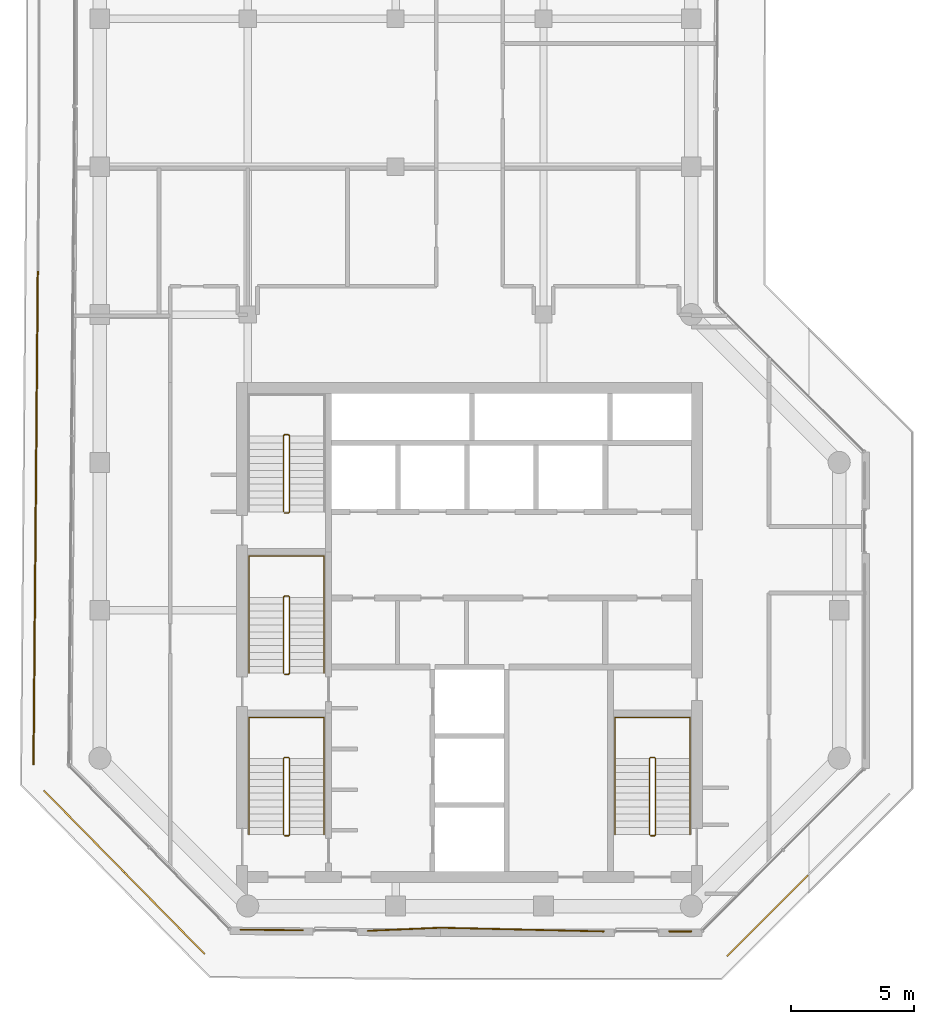
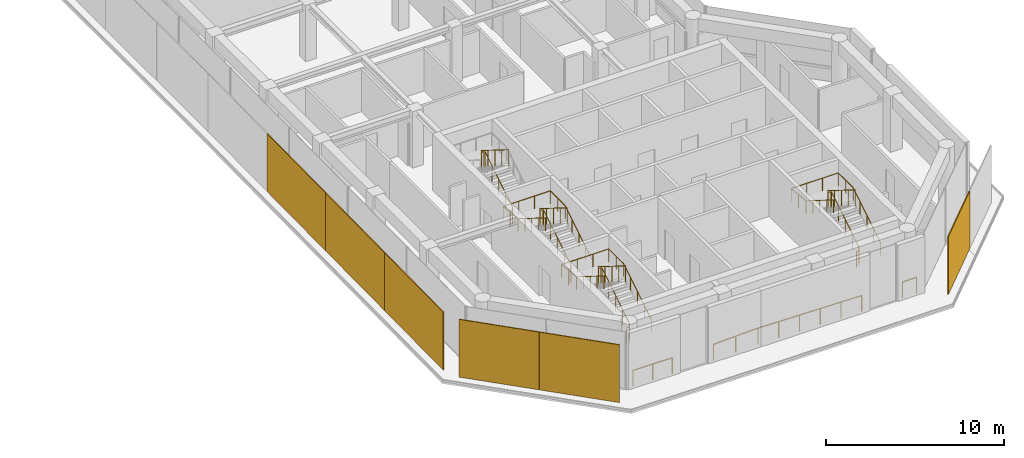
# One storey, part 18 of 19: 10 railings, 6 coverings.
"""IFC4 building model written with IfcOpenShell, lengths in metres."""

import ifcopenshell
import ifcopenshell.guid

model = None  # the IFC model being written
_history = None  # IfcOwnerHistory: only IFC2X3 demands one
_inside = {}  # id of a spatial element -> (the spatial element, [elements in it])
_under = {}  # id of a project, library or spatial element -> (it, [spatial elements below it])
_declared = {}  # id of a project -> (the project, [libraries it declares])
_typed = {}  # id of a type object -> (the type object, [elements of that type])
_made_of = {}  # id of a material, layer set ... -> (it, [elements and type objects made of it])


def new_model(schema):
    """Start an empty IFC model of exactly this schema.

    Asked for "IFC4X3", IfcOpenShell would pick the latest addendum, in which some entities
    have other attributes; the version numbers below select the first issue.
    IFC2X3 requires an IfcOwnerHistory on every rooted entity: one is made here for all.
    """
    global model, _history
    if schema == "IFC4X3":
        model = ifcopenshell.file(schema_version=(4, 3, 0, 0))
    else:
        model = ifcopenshell.file(schema=schema)
    _inside.clear()
    _under.clear()
    _declared.clear()
    _typed.clear()
    _made_of.clear()
    _history = None
    if model.schema == "IFC2X3":
        org = make("IfcOrganization", Name="unknown")
        user = make(
            "IfcPersonAndOrganization",
            ThePerson=make("IfcPerson", FamilyName="unknown"),
            TheOrganization=org,
        )
        app = make(
            "IfcApplication",
            ApplicationDeveloper=org,
            Version="unknown",
            ApplicationFullName="unknown",
            ApplicationIdentifier="unknown",
        )
        _history = make(
            "IfcOwnerHistory",
            OwningUser=user,
            OwningApplication=app,
            ChangeAction="ADDED",
            CreationDate=0,
        )
    return model


def make(cls, **values):
    """One entity of the class cls with the attributes given. An attribute that is None is left unset."""
    return model.create_entity(
        cls, **{name: value for name, value in values.items() if value is not None}
    )


def rooted(cls, **values):
    """An entity with a GlobalId (a new one), such as an element, a storey or a relation."""
    return make(cls, GlobalId=ifcopenshell.guid.new(), OwnerHistory=_history, **values)


def si_unit(unit_type, name, prefix=None):
    """IfcSIUnit, for example si_unit("LENGTHUNIT", "METRE", prefix="MILLI")."""
    return make("IfcSIUnit", UnitType=unit_type, Prefix=prefix, Name=name)


def assignment(units):
    """IfcUnitAssignment: the units of a project."""
    return None if units is None else make("IfcUnitAssignment", Units=units)


def point(xyz):
    """IfcCartesianPoint."""
    return None if xyz is None else make("IfcCartesianPoint", Coordinates=xyz)


def direction(xyz):
    """IfcDirection."""
    return None if xyz is None else make("IfcDirection", DirectionRatios=xyz)


def frame(location, z_axis=None, x_axis=None):
    """IfcAxis2Placement3D, a coordinate frame: its origin and axes. An axis left out is left unset."""
    return make(
        "IfcAxis2Placement3D",
        Location=point(location),
        Axis=direction(z_axis),
        RefDirection=direction(x_axis),
    )


def frame_2d(location, x_axis=None):
    """IfcAxis2Placement2D, a coordinate frame in the plane: its origin and x axis."""
    return make(
        "IfcAxis2Placement2D", Location=point(location), RefDirection=direction(x_axis)
    )


def origin():
    """The frame at (0, 0, 0) with its axes left unset."""
    return frame((0.0, 0.0, 0.0))


def origin_2d():
    """The frame at (0, 0) in the plane with its x axis left unset."""
    return frame_2d((0.0, 0.0))


def place(relative_to, where):
    """IfcLocalPlacement: puts the frame where relative to a parent placement (None: the world)."""
    return make(
        "IfcLocalPlacement", PlacementRelTo=relative_to, RelativePlacement=where
    )


def context(
    kind, dimensions, precision=None, world=None, true_north=None, identifier=None
):
    """IfcGeometricRepresentationContext, for example the 3D "Model" context."""
    return make(
        "IfcGeometricRepresentationContext",
        ContextIdentifier=identifier,
        ContextType=kind,
        CoordinateSpaceDimension=dimensions,
        Precision=precision,
        WorldCoordinateSystem=world,
        TrueNorth=true_north,
    )


def subcontext(parent, identifier, kind, view, scale=None):
    """IfcGeometricRepresentationSubContext, for example "Body" below "Model"."""
    return make(
        "IfcGeometricRepresentationSubContext",
        ContextIdentifier=identifier,
        ContextType=kind,
        ParentContext=parent,
        TargetScale=scale,
        TargetView=view,
    )


def project(units=None, contexts=None):
    """IfcProject with its units and contexts."""
    return rooted(
        "IfcProject",
        Name="project",
        RepresentationContexts=contexts,
        UnitsInContext=assignment(units),
    )


def spatial(cls, under=None, at=None, **own):
    """A site, building, storey or space (cls), placed at a placement, below another one or the project."""
    s = rooted(cls, ObjectPlacement=at, **own)
    if under is not None:
        _under.setdefault(under.id(), (under, []))[1].append(s)
    return s


def profile(cls, at=None, kind="AREA", **sizes):
    """A parametric profile (cls). Its sizes go by their IFC names, for example OverallWidth=200.0."""
    return make(cls, ProfileType=kind, Position=at, **sizes)


def rectangle(**sizes):
    """IfcRectangleProfileDef."""
    return profile("IfcRectangleProfileDef", **sizes)


def circle(**sizes):
    """IfcCircleProfileDef."""
    return profile("IfcCircleProfileDef", **sizes)


def extrude(swept, where, along, depth):
    """IfcExtrudedAreaSolid: the profile swept, set in the frame where, extruded along a direction by depth."""
    return make(
        "IfcExtrudedAreaSolid",
        SweptArea=swept,
        Position=where,
        ExtrudedDirection=direction(along),
        Depth=depth,
    )


def shape(context_of_items, identifier, shape_type, items):
    """IfcShapeRepresentation: the items that make up one representation, for example the "Body"."""
    return make(
        "IfcShapeRepresentation",
        ContextOfItems=context_of_items,
        RepresentationIdentifier=identifier,
        RepresentationType=shape_type,
        Items=items,
    )


def material(Name=None, Category=None):
    """IfcMaterial."""
    return make("IfcMaterial", Name=Name, Category=Category)


def layer(
    of_material, thickness, ventilated=None, Name=None, Category=None, Priority=None
):
    """IfcMaterialLayer: one layer of a wall or slab, of a material (None: an air gap)."""
    return make(
        "IfcMaterialLayer",
        Material=of_material,
        LayerThickness=thickness,
        IsVentilated=ventilated,
        Name=Name,
        Category=Category,
        Priority=Priority,
    )


def layer_set(layers, Name=None):
    """IfcMaterialLayerSet."""
    return make("IfcMaterialLayerSet", MaterialLayers=layers, LayerSetName=Name)


def made_of(thing, what):
    """Note that an element or type object is made of a material, layer set ...; save() writes the relation."""
    if what is not None:
        _made_of.setdefault(what.id(), (what, []))[1].append(thing)
    return thing


def type_object(cls, material=None, **own):
    """A type object (cls), such as IfcWallType, which elements share."""
    return made_of(rooted(cls, **own), material)


def element(
    cls,
    number,
    at=None,
    inside=None,
    cuts=None,
    type_object=None,
    material=None,
    context=None,
    identifier="Body",
    shape_type=None,
    held_by="IfcProductDefinitionShape",
    body=None,
    shapes=None,
    **own,
):
    """One element of the class cls, such as IfcWall. Its Tag is "e" and its number.

    at: its placement. inside: the storey or other place that contains it. cuts: it is an
    opening in that element (IfcRelVoidsElement). A single representation is given by context,
    identifier, shape_type and body (its items); several are given by shapes. held_by: the class
    of the entity that holds the representations. save() writes the other relations.
    """
    e = rooted(cls, Tag="e%d" % number, ObjectPlacement=at, **own)
    if body is not None:
        shapes = [shape(context, identifier, shape_type, body)]
    if shapes is not None:
        e.Representation = make(held_by, Representations=shapes)
    if inside is not None:
        _inside.setdefault(inside.id(), (inside, []))[1].append(e)
    if cuts is not None:
        rooted(
            "IfcRelVoidsElement", RelatingBuildingElement=cuts, RelatedOpeningElement=e
        )
    if type_object is not None:
        _typed.setdefault(type_object.id(), (type_object, []))[1].append(e)
    return made_of(e, material)


def aggregate(whole, parts):
    """IfcRelAggregates: a whole, such as a stair, and the parts it consists of."""
    return rooted("IfcRelAggregates", RelatingObject=whole, RelatedObjects=parts)


def save(model, path):
    """Write the relations noted so far, then the file.

    IfcRelAggregates (storeys below a building ...), IfcRelContainedInSpatialStructure (elements
    in a storey), IfcRelDefinesByType, IfcRelAssociatesMaterial and IfcRelDeclares: one each for
    every whole, place, type object, material and project.
    """
    for whole, parts in _under.values():
        aggregate(whole, parts)
    for where, things in _inside.values():
        rooted(
            "IfcRelContainedInSpatialStructure",
            RelatedElements=things,
            RelatingStructure=where,
        )
    for kind, things in _typed.values():
        rooted("IfcRelDefinesByType", RelatedObjects=things, RelatingType=kind)
    for what, things in _made_of.values():
        rooted("IfcRelAssociatesMaterial", RelatedObjects=things, RelatingMaterial=what)
    for by, libraries in _declared.values():
        rooted("IfcRelDeclares", RelatingContext=by, RelatedDefinitions=libraries)
    model.write(path)


model = new_model("IFC4")

# Units and contexts
model_context = context("Model", 3, precision=1e-05, world=origin(), true_north=direction((0.0, 1.0)))
body_context = subcontext(model_context, "Body", "Model", "MODEL_VIEW")
ifc_project = project(units=[si_unit("LENGTHUNIT", "METRE"), si_unit("AREAUNIT", "SQUARE_METRE"), si_unit("VOLUMEUNIT", "CUBIC_METRE"), si_unit("PLANEANGLEUNIT", "RADIAN"), si_unit("MASSUNIT", "GRAM", prefix="KILO")], contexts=[model_context])

# Site, building, storey
site_placement = place(None, origin())
site = spatial("IfcSite", under=ifc_project, at=site_placement, CompositionType="ELEMENT")
building_placement = place(site_placement, origin())
building = spatial("IfcBuilding", under=site, at=building_placement, Name="Welwitschia Terrace Campus", CompositionType="ELEMENT")
storey_placement = place(building_placement, frame((0.0, 0.0, 230.60009765625)))
storey = spatial("IfcBuildingStorey", under=building, at=storey_placement, Name="L51", CompositionType="ELEMENT", Elevation=230.60009765625)

# Coverings
ifc_material_1 = material(Name="Bronze mesh aluminium screen", Category="aluminium")
ifc_layer = layer(ifc_material_1, 0.06005859375)
ifc_layer_set = layer_set([ifc_layer], Name="Bronze mesh aluminium screen")
covering_type = type_object("IfcCoveringType", Name="Bronze screen 60", PredefinedType="USERDEFINED", material=ifc_layer_set)
for number, where, z_axis, x_axis, name in (
    (1, (-2.547607421875, 26.435302734375, 0.0), (0.0, 0.0, 1.0), (-0.008726535498, -0.999961923064, 0.0), "Screen L51.2.1"),
    (2, (-2.605712890625, 19.748291015625, 0.0), (0.0, 0.0, 1.0), (-0.008726535498, -0.999961923064, 0.0), "Screen L51.2.2"),
    (3, (-2.664306640625, 13.061279296875, 0.0), (0.0, 0.0, 1.0), (-0.008726535498, -0.999961923064, 0.0), "Screen L51.2.3"),
):
    element("IfcCovering", number, at=place(storey_placement, frame(where, z_axis=z_axis, x_axis=x_axis)), inside=storey, type_object=covering_type, Name=name, ObjectType="SCREEN", PredefinedType="USERDEFINED", context=body_context, shape_type="SweptSolid", body=[
        extrude(rectangle(XDim=6.667236328125, YDim=0.06005859375, at=origin_2d()), origin(), (0.0, 0.0, 1.0), 3.949951171875),
    ])
for number, where, z_axis, x_axis, name in (
    (4, (-0.64697265625, 7.037841796875, 0.0), (0.0, 0.0, 1.0), (0.7009092643, -0.713250449154, 0.0), "Screen L51.3.0"),
    (5, (2.625732421875, 3.70751953125, 0.0), (0.0, 0.0, 1.0), (0.7009092643, -0.713250449154, 0.0), "Screen L51.3.1"),
    (6, (27.088623046875, 3.609619140625, 0.0), (0.0, 0.0, 1.0), (0.707106781187, 0.707106781187, 0.0), "Screen L51.6.0"),
):
    element("IfcCovering", number, at=place(storey_placement, frame(where, z_axis=z_axis, x_axis=x_axis)), inside=storey, type_object=covering_type, Name=name, ObjectType="SCREEN", PredefinedType="USERDEFINED", context=body_context, shape_type="SweptSolid", body=[
        extrude(rectangle(XDim=4.6494140625, YDim=0.06005859375, at=origin_2d()), origin(), (0.0, 0.0, 1.0), 3.949951171875),
    ])

# Railings
ifc_material_2 = material(Name="Stainless steel grade 316", Category="steel")
railing_type_1 = type_object("IfcRailingType", Name="Guard 1100", PredefinedType="GUARDRAIL", material=ifc_material_2)
railing_1_placement = place(storey_placement, frame((8.23095703125, 3.018798828125, 0.0)))
element("IfcRailing", 7, at=railing_1_placement, inside=storey, type_object=railing_type_1, Name="Guard floor edge L51.1", PredefinedType="GUARDRAIL", context=body_context, shape_type="SweptSolid", body=[
    extrude(circle(Radius=0.02392578125, at=origin_2d()), frame((0.0, 0.0, 1.076171875), z_axis=(-0.9999612979, 0.008797880509, 0.0), x_axis=(-0.008797880509, -0.9999612979, 0.0)), (0.0, 0.0, 1.0), 2.525146484375),
    extrude(circle(Radius=0.02099609375, at=origin_2d()), origin(), (0.0, 0.0, 1.0), 1.052001953125),
    extrude(circle(Radius=0.02099609375, at=origin_2d()), frame((-1.2626953125, 0.01123046875, 0.0)), (0.0, 0.0, 1.0), 1.052001953125),
    extrude(circle(Radius=0.02099609375, at=origin_2d()), frame((-2.525146484375, 0.022216796875, 0.0)), (0.0, 0.0, 1.0), 1.052001953125),
])
railing_2_placement = place(storey_placement, frame((20.453125, 2.969970703125, 0.0)))
element("IfcRailing", 8, at=railing_2_placement, inside=storey, type_object=railing_type_1, Name="Guard floor edge L51.3", PredefinedType="GUARDRAIL", context=body_context, shape_type="SweptSolid", body=[
    extrude(circle(Radius=0.02392578125, at=origin_2d()), frame((0.0, 0.0, 1.076171875), z_axis=(-0.999743297963, 0.022656967544, 0.0), x_axis=(-0.022656967544, -0.999743297963, 0.0)), (0.0, 0.0, 1.0), 6.626953125),
    extrude(circle(Radius=0.02392578125, at=origin_2d()), frame((-6.625244140625, 0.150146484375, 1.076171875), z_axis=(-0.999110134046, -0.042177482689, 0.0), x_axis=(0.042177482689, -0.999110134046, 0.0)), (0.0, 0.0, 1.0), 2.9521484375),
    extrude(circle(Radius=0.02099609375, at=origin_2d()), origin(), (0.0, 0.0, 1.0), 1.052001953125),
    extrude(circle(Radius=0.02099609375, at=origin_2d()), frame((-1.324951171875, 0.030029296875, 0.0)), (0.0, 0.0, 1.0), 1.052001953125),
    extrude(circle(Radius=0.02099609375, at=origin_2d()), frame((-2.650146484375, 0.06005859375, 0.0)), (0.0, 0.0, 1.0), 1.052001953125),
    extrude(circle(Radius=0.02099609375, at=origin_2d()), frame((-3.97509765625, 0.090087890625, 0.0)), (0.0, 0.0, 1.0), 1.052001953125),
    extrude(circle(Radius=0.02099609375, at=origin_2d()), frame((-5.30029296875, 0.1201171875, 0.0)), (0.0, 0.0, 1.0), 1.052001953125),
    extrude(circle(Radius=0.02099609375, at=origin_2d()), frame((-6.625244140625, 0.150146484375, 0.0)), (0.0, 0.0, 1.0), 1.052001953125),
    extrude(circle(Radius=0.02099609375, at=origin_2d()), frame((-8.10009765625, 0.087890625, 0.0)), (0.0, 0.0, 1.0), 1.052001953125),
    extrude(circle(Radius=0.02099609375, at=origin_2d()), frame((-9.57470703125, 0.025634765625, 0.0)), (0.0, 0.0, 1.0), 1.052001953125),
])
railing_3_placement = place(storey_placement, frame((24.0029296875, 2.969970703125, 0.0)))
element("IfcRailing", 9, at=railing_3_placement, inside=storey, type_object=railing_type_1, Name="Guard floor edge L51.5", PredefinedType="GUARDRAIL", context=body_context, shape_type="SweptSolid", body=[
    extrude(circle(Radius=0.02392578125, at=origin_2d()), frame((0.0, 0.0, 1.076171875), z_axis=(-1.0, 0.0, 0.0), x_axis=(0.0, -1.0, 0.0)), (0.0, 0.0, 1.0), 0.90234375),
    extrude(circle(Radius=0.02099609375, at=origin_2d()), origin(), (0.0, 0.0, 1.0), 1.052001953125),
    extrude(circle(Radius=0.02099609375, at=origin_2d()), frame((-0.90234375, 0.0, 0.0)), (0.0, 0.0, 1.0), 1.052001953125),
])
ifc_material_3 = material(Name="Steel S355", Category="steel")
railing_type_2 = type_object("IfcRailingType", Name="Stair guard 1100", PredefinedType="GUARDRAIL", material=ifc_material_3)
railing_4_placement = place(storey_placement, frame((7.5, 6.85009765625, 0.0)))
element("IfcRailing", 10, at=railing_4_placement, inside=storey, type_object=railing_type_2, Name="L51 S1 stair guard", PredefinedType="GUARDRAIL", context=body_context, shape_type="SweptSolid", body=[
    extrude(circle(Radius=0.02392578125, at=origin_2d()), frame((0.0, 0.0, 1.076171875), z_axis=(1.0, 0.0, 0.0), x_axis=(0.0, 1.0, 0.0)), (0.0, 0.0, 1.0), 0.14990234375),
    extrude(circle(Radius=0.02392578125, at=origin_2d()), frame((0.14990234375, 0.0, 1.076171875), z_axis=(0.265474339444, 0.264179342666, 0.927217692888), x_axis=(-0.705375805398, 0.708833529934, 0.0)), (0.0, 0.0, 1.0), 0.1884765625),
    extrude(circle(Radius=0.02392578125, at=origin_2d()), frame((0.199951171875, 0.0498046875, 1.2509765625), z_axis=(0.0, 0.847998304005, 0.529998940003), x_axis=(-1.0, 0.0, 0.0)), (0.0, 0.0, 1.0), 3.632080078125),
    extrude(circle(Radius=0.02392578125, at=origin_2d()), frame((0.199951171875, 3.1298828125, 3.17578125), z_axis=(-0.707106781187, 0.707106781187, 0.0), x_axis=(-0.707106781187, -0.707106781187, 0.0)), (0.0, 0.0, 1.0), 0.07080078125),
    extrude(circle(Radius=0.02392578125, at=origin_2d()), frame((0.14990234375, 3.179931640625, 3.17578125), z_axis=(-1.0, 0.0, 0.0), x_axis=(0.0, -1.0, 0.0)), (0.0, 0.0, 1.0), 0.14990234375),
    extrude(circle(Radius=0.02392578125, at=origin_2d()), frame((0.0, 3.179931640625, 3.17578125), z_axis=(-0.265065253269, -0.265065253269, 0.927081885822), x_axis=(0.707106781187, -0.707106781187, 0.0)), (0.0, 0.0, 1.0), 0.188720703125),
    extrude(circle(Radius=0.02392578125, at=origin_2d()), frame((-0.050048828125, 3.1298828125, 3.35107421875), z_axis=(0.0, -0.847998304005, 0.529998940003), x_axis=(1.0, 0.0, 0.0)), (0.0, 0.0, 1.0), 3.632080078125),
    extrude(circle(Radius=0.02099609375, at=origin_2d()), origin(), (0.0, 0.0, 1.0), 1.052001953125),
    extrude(circle(Radius=0.02099609375, at=origin_2d()), frame((0.14990234375, 0.0, 0.0)), (0.0, 0.0, 1.0), 1.052001953125),
    extrude(circle(Radius=0.02099609375, at=origin_2d()), frame((0.199951171875, 0.0498046875, 0.1748046875)), (0.0, 0.0, 1.0), 1.052001953125),
    extrude(circle(Radius=0.02099609375, at=origin_2d()), frame((0.199951171875, 0.81982421875, 0.656005859375)), (0.0, 0.0, 1.0), 1.052001953125),
    extrude(circle(Radius=0.02099609375, at=origin_2d()), frame((0.199951171875, 1.58984375, 1.13720703125)), (0.0, 0.0, 1.0), 1.052001953125),
    extrude(circle(Radius=0.02099609375, at=origin_2d()), frame((0.199951171875, 2.35986328125, 1.61865234375)), (0.0, 0.0, 1.0), 1.052001953125),
    extrude(circle(Radius=0.02099609375, at=origin_2d()), frame((0.199951171875, 3.1298828125, 2.099853515625)), (0.0, 0.0, 1.0), 1.052001953125),
    extrude(circle(Radius=0.02099609375, at=origin_2d()), frame((0.14990234375, 3.179931640625, 2.099853515625)), (0.0, 0.0, 1.0), 1.052001953125),
    extrude(circle(Radius=0.02099609375, at=origin_2d()), frame((0.0, 3.179931640625, 2.099853515625)), (0.0, 0.0, 1.0), 1.052001953125),
    extrude(circle(Radius=0.02099609375, at=origin_2d()), frame((-0.050048828125, 3.1298828125, 2.27490234375)), (0.0, 0.0, 1.0), 1.052001953125),
    extrude(circle(Radius=0.02099609375, at=origin_2d()), frame((-0.050048828125, 2.35986328125, 2.756103515625)), (0.0, 0.0, 1.0), 1.052001953125),
    extrude(circle(Radius=0.02099609375, at=origin_2d()), frame((-0.050048828125, 1.58984375, 3.2373046875)), (0.0, 0.0, 1.0), 1.052001953125),
    extrude(circle(Radius=0.02099609375, at=origin_2d()), frame((-0.050048828125, 0.81982421875, 3.71875)), (0.0, 0.0, 1.0), 1.052001953125),
    extrude(circle(Radius=0.02099609375, at=origin_2d()), frame((-0.050048828125, 0.0498046875, 4.199951171875)), (0.0, 0.0, 1.0), 1.052001953125),
])
railing_5_placement = place(storey_placement, frame((7.5, 13.39990234375, 0.0)))
element("IfcRailing", 11, at=railing_5_placement, inside=storey, type_object=railing_type_2, Name="L51 S3 stair guard", PredefinedType="GUARDRAIL", context=body_context, shape_type="SweptSolid", body=[
    extrude(circle(Radius=0.02392578125, at=origin_2d()), frame((0.0, 0.0, 1.076171875), z_axis=(1.0, 0.0, 0.0), x_axis=(0.0, 1.0, 0.0)), (0.0, 0.0, 1.0), 0.14990234375),
    extrude(circle(Radius=0.02392578125, at=origin_2d()), frame((0.14990234375, 0.0, 1.076171875), z_axis=(0.265383341853, 0.265383341853, 0.926899867156), x_axis=(-0.707106781187, 0.707106781187, 0.0)), (0.0, 0.0, 1.0), 0.1884765625),
    extrude(circle(Radius=0.02392578125, at=origin_2d()), frame((0.199951171875, 0.050048828125, 1.2509765625), z_axis=(0.0, 0.847998304005, 0.529998940003), x_axis=(-1.0, 0.0, 0.0)), (0.0, 0.0, 1.0), 3.632080078125),
    extrude(circle(Radius=0.02392578125, at=origin_2d()), frame((0.199951171875, 3.130126953125, 3.17578125), z_axis=(-0.707106781187, 0.707106781187, 0.0), x_axis=(-0.707106781187, -0.707106781187, 0.0)), (0.0, 0.0, 1.0), 0.07080078125),
    extrude(circle(Radius=0.02392578125, at=origin_2d()), frame((0.14990234375, 3.18017578125, 3.17578125), z_axis=(-1.0, 0.0, 0.0), x_axis=(0.0, -1.0, 0.0)), (0.0, 0.0, 1.0), 0.14990234375),
    extrude(circle(Radius=0.02392578125, at=origin_2d()), frame((0.0, 3.18017578125, 3.17578125), z_axis=(-0.265065253269, -0.265065253269, 0.927081885822), x_axis=(0.707106781187, -0.707106781187, 0.0)), (0.0, 0.0, 1.0), 0.188720703125),
    extrude(circle(Radius=0.02392578125, at=origin_2d()), frame((-0.050048828125, 3.130126953125, 3.35107421875), z_axis=(0.0, -0.847998304005, 0.529998940003), x_axis=(1.0, 0.0, 0.0)), (0.0, 0.0, 1.0), 3.632080078125),
    extrude(circle(Radius=0.02099609375, at=origin_2d()), origin(), (0.0, 0.0, 1.0), 1.052001953125),
    extrude(circle(Radius=0.02099609375, at=origin_2d()), frame((0.14990234375, 0.0, 0.0)), (0.0, 0.0, 1.0), 1.052001953125),
    extrude(circle(Radius=0.02099609375, at=origin_2d()), frame((0.199951171875, 0.050048828125, 0.1748046875)), (0.0, 0.0, 1.0), 1.052001953125),
    extrude(circle(Radius=0.02099609375, at=origin_2d()), frame((0.199951171875, 0.820068359375, 0.656005859375)), (0.0, 0.0, 1.0), 1.052001953125),
    extrude(circle(Radius=0.02099609375, at=origin_2d()), frame((0.199951171875, 1.590087890625, 1.13720703125)), (0.0, 0.0, 1.0), 1.052001953125),
    extrude(circle(Radius=0.02099609375, at=origin_2d()), frame((0.199951171875, 2.360107421875, 1.61865234375)), (0.0, 0.0, 1.0), 1.052001953125),
    extrude(circle(Radius=0.02099609375, at=origin_2d()), frame((0.199951171875, 3.130126953125, 2.099853515625)), (0.0, 0.0, 1.0), 1.052001953125),
    extrude(circle(Radius=0.02099609375, at=origin_2d()), frame((0.14990234375, 3.18017578125, 2.099853515625)), (0.0, 0.0, 1.0), 1.052001953125),
    extrude(circle(Radius=0.02099609375, at=origin_2d()), frame((0.0, 3.18017578125, 2.099853515625)), (0.0, 0.0, 1.0), 1.052001953125),
    extrude(circle(Radius=0.02099609375, at=origin_2d()), frame((-0.050048828125, 3.130126953125, 2.27490234375)), (0.0, 0.0, 1.0), 1.052001953125),
    extrude(circle(Radius=0.02099609375, at=origin_2d()), frame((-0.050048828125, 2.360107421875, 2.756103515625)), (0.0, 0.0, 1.0), 1.052001953125),
    extrude(circle(Radius=0.02099609375, at=origin_2d()), frame((-0.050048828125, 1.590087890625, 3.2373046875)), (0.0, 0.0, 1.0), 1.052001953125),
    extrude(circle(Radius=0.02099609375, at=origin_2d()), frame((-0.050048828125, 0.820068359375, 3.71875)), (0.0, 0.0, 1.0), 1.052001953125),
    extrude(circle(Radius=0.02099609375, at=origin_2d()), frame((-0.050048828125, 0.050048828125, 4.199951171875)), (0.0, 0.0, 1.0), 1.052001953125),
])
railing_6_placement = place(storey_placement, frame((7.5, 19.949951171875, 0.0)))
element("IfcRailing", 12, at=railing_6_placement, inside=storey, type_object=railing_type_2, Name="L51 S4 stair guard", PredefinedType="GUARDRAIL", context=body_context, shape_type="SweptSolid", body=[
    extrude(circle(Radius=0.02392578125, at=origin_2d()), frame((0.0, 0.0, 1.076171875), z_axis=(1.0, 0.0, 0.0), x_axis=(0.0, 1.0, 0.0)), (0.0, 0.0, 1.0), 0.14990234375),
    extrude(circle(Radius=0.02392578125, at=origin_2d()), frame((0.14990234375, 0.0, 1.076171875), z_axis=(0.265383341853, 0.265383341853, 0.926899867156), x_axis=(-0.707106781187, 0.707106781187, 0.0)), (0.0, 0.0, 1.0), 0.1884765625),
    extrude(circle(Radius=0.02392578125, at=origin_2d()), frame((0.199951171875, 0.050048828125, 1.2509765625), z_axis=(0.0, 0.847998304005, 0.529998940003), x_axis=(-1.0, 0.0, 0.0)), (0.0, 0.0, 1.0), 3.632080078125),
    extrude(circle(Radius=0.02392578125, at=origin_2d()), frame((0.199951171875, 3.130126953125, 3.17578125), z_axis=(-0.708833529934, 0.705375805398, 0.0), x_axis=(-0.705375805398, -0.708833529934, 0.0)), (0.0, 0.0, 1.0), 0.070556640625),
    extrude(circle(Radius=0.02392578125, at=origin_2d()), frame((0.14990234375, 3.179931640625, 3.17578125), z_axis=(-1.0, 0.0, 0.0), x_axis=(0.0, -1.0, 0.0)), (0.0, 0.0, 1.0), 0.14990234375),
    extrude(circle(Radius=0.02392578125, at=origin_2d()), frame((0.0, 3.179931640625, 3.17578125), z_axis=(-0.265155923931, -0.263862480399, 0.927399011991), x_axis=(0.705375805398, -0.708833529934, 0.0)), (0.0, 0.0, 1.0), 0.188720703125),
    extrude(circle(Radius=0.02392578125, at=origin_2d()), frame((-0.050048828125, 3.130126953125, 3.35107421875), z_axis=(0.0, -0.847998304005, 0.529998940003), x_axis=(1.0, 0.0, 0.0)), (0.0, 0.0, 1.0), 3.632080078125),
    extrude(circle(Radius=0.02099609375, at=origin_2d()), origin(), (0.0, 0.0, 1.0), 1.052001953125),
    extrude(circle(Radius=0.02099609375, at=origin_2d()), frame((0.14990234375, 0.0, 0.0)), (0.0, 0.0, 1.0), 1.052001953125),
    extrude(circle(Radius=0.02099609375, at=origin_2d()), frame((0.199951171875, 0.050048828125, 0.1748046875)), (0.0, 0.0, 1.0), 1.052001953125),
    extrude(circle(Radius=0.02099609375, at=origin_2d()), frame((0.199951171875, 0.820068359375, 0.656005859375)), (0.0, 0.0, 1.0), 1.052001953125),
    extrude(circle(Radius=0.02099609375, at=origin_2d()), frame((0.199951171875, 1.590087890625, 1.13720703125)), (0.0, 0.0, 1.0), 1.052001953125),
    extrude(circle(Radius=0.02099609375, at=origin_2d()), frame((0.199951171875, 2.360107421875, 1.61865234375)), (0.0, 0.0, 1.0), 1.052001953125),
    extrude(circle(Radius=0.02099609375, at=origin_2d()), frame((0.199951171875, 3.130126953125, 2.099853515625)), (0.0, 0.0, 1.0), 1.052001953125),
    extrude(circle(Radius=0.02099609375, at=origin_2d()), frame((0.14990234375, 3.179931640625, 2.099853515625)), (0.0, 0.0, 1.0), 1.052001953125),
    extrude(circle(Radius=0.02099609375, at=origin_2d()), frame((0.0, 3.179931640625, 2.099853515625)), (0.0, 0.0, 1.0), 1.052001953125),
    extrude(circle(Radius=0.02099609375, at=origin_2d()), frame((-0.050048828125, 3.130126953125, 2.27490234375)), (0.0, 0.0, 1.0), 1.052001953125),
    extrude(circle(Radius=0.02099609375, at=origin_2d()), frame((-0.050048828125, 2.360107421875, 2.756103515625)), (0.0, 0.0, 1.0), 1.052001953125),
    extrude(circle(Radius=0.02099609375, at=origin_2d()), frame((-0.050048828125, 1.590087890625, 3.2373046875)), (0.0, 0.0, 1.0), 1.052001953125),
    extrude(circle(Radius=0.02099609375, at=origin_2d()), frame((-0.050048828125, 0.820068359375, 3.71875)), (0.0, 0.0, 1.0), 1.052001953125),
    extrude(circle(Radius=0.02099609375, at=origin_2d()), frame((-0.050048828125, 0.050048828125, 4.199951171875)), (0.0, 0.0, 1.0), 1.052001953125),
])
railing_7_placement = place(storey_placement, frame((22.35009765625, 6.85009765625, 0.0)))
element("IfcRailing", 13, at=railing_7_placement, inside=storey, type_object=railing_type_2, Name="L51 S2 stair guard", PredefinedType="GUARDRAIL", context=body_context, shape_type="SweptSolid", body=[
    extrude(circle(Radius=0.02392578125, at=origin_2d()), frame((0.0, 0.0, 1.076171875), z_axis=(1.0, 0.0, 0.0), x_axis=(0.0, 1.0, 0.0)), (0.0, 0.0, 1.0), 0.14990234375),
    extrude(circle(Radius=0.02392578125, at=origin_2d()), frame((0.14990234375, 0.0, 1.076171875), z_axis=(0.265474339444, 0.264179342666, 0.927217692888), x_axis=(-0.705375805398, 0.708833529934, 0.0)), (0.0, 0.0, 1.0), 0.1884765625),
    extrude(circle(Radius=0.02392578125, at=origin_2d()), frame((0.199951171875, 0.0498046875, 1.2509765625), z_axis=(0.0, 0.847998304005, 0.529998940003), x_axis=(-1.0, 0.0, 0.0)), (0.0, 0.0, 1.0), 3.632080078125),
    extrude(circle(Radius=0.02392578125, at=origin_2d()), frame((0.199951171875, 3.1298828125, 3.17578125), z_axis=(-0.707106781187, 0.707106781187, 0.0), x_axis=(-0.707106781187, -0.707106781187, 0.0)), (0.0, 0.0, 1.0), 0.07080078125),
    extrude(circle(Radius=0.02392578125, at=origin_2d()), frame((0.14990234375, 3.179931640625, 3.17578125), z_axis=(-1.0, 0.0, 0.0), x_axis=(0.0, -1.0, 0.0)), (0.0, 0.0, 1.0), 0.14990234375),
    extrude(circle(Radius=0.02392578125, at=origin_2d()), frame((0.0, 3.179931640625, 3.17578125), z_axis=(-0.265065253269, -0.265065253269, 0.927081885822), x_axis=(0.707106781187, -0.707106781187, 0.0)), (0.0, 0.0, 1.0), 0.188720703125),
    extrude(circle(Radius=0.02392578125, at=origin_2d()), frame((-0.050048828125, 3.1298828125, 3.35107421875), z_axis=(0.0, -0.847998304005, 0.529998940003), x_axis=(1.0, 0.0, 0.0)), (0.0, 0.0, 1.0), 3.632080078125),
    extrude(circle(Radius=0.02099609375, at=origin_2d()), origin(), (0.0, 0.0, 1.0), 1.052001953125),
    extrude(circle(Radius=0.02099609375, at=origin_2d()), frame((0.14990234375, 0.0, 0.0)), (0.0, 0.0, 1.0), 1.052001953125),
    extrude(circle(Radius=0.02099609375, at=origin_2d()), frame((0.199951171875, 0.0498046875, 0.1748046875)), (0.0, 0.0, 1.0), 1.052001953125),
    extrude(circle(Radius=0.02099609375, at=origin_2d()), frame((0.199951171875, 0.81982421875, 0.656005859375)), (0.0, 0.0, 1.0), 1.052001953125),
    extrude(circle(Radius=0.02099609375, at=origin_2d()), frame((0.199951171875, 1.58984375, 1.13720703125)), (0.0, 0.0, 1.0), 1.052001953125),
    extrude(circle(Radius=0.02099609375, at=origin_2d()), frame((0.199951171875, 2.35986328125, 1.61865234375)), (0.0, 0.0, 1.0), 1.052001953125),
    extrude(circle(Radius=0.02099609375, at=origin_2d()), frame((0.199951171875, 3.1298828125, 2.099853515625)), (0.0, 0.0, 1.0), 1.052001953125),
    extrude(circle(Radius=0.02099609375, at=origin_2d()), frame((0.14990234375, 3.179931640625, 2.099853515625)), (0.0, 0.0, 1.0), 1.052001953125),
    extrude(circle(Radius=0.02099609375, at=origin_2d()), frame((0.0, 3.179931640625, 2.099853515625)), (0.0, 0.0, 1.0), 1.052001953125),
    extrude(circle(Radius=0.02099609375, at=origin_2d()), frame((-0.050048828125, 3.1298828125, 2.27490234375)), (0.0, 0.0, 1.0), 1.052001953125),
    extrude(circle(Radius=0.02099609375, at=origin_2d()), frame((-0.050048828125, 2.35986328125, 2.756103515625)), (0.0, 0.0, 1.0), 1.052001953125),
    extrude(circle(Radius=0.02099609375, at=origin_2d()), frame((-0.050048828125, 1.58984375, 3.2373046875)), (0.0, 0.0, 1.0), 1.052001953125),
    extrude(circle(Radius=0.02099609375, at=origin_2d()), frame((-0.050048828125, 0.81982421875, 3.71875)), (0.0, 0.0, 1.0), 1.052001953125),
    extrude(circle(Radius=0.02099609375, at=origin_2d()), frame((-0.050048828125, 0.0498046875, 4.199951171875)), (0.0, 0.0, 1.0), 1.052001953125),
])
ifc_material_4 = material(Name="Steel S355", Category="steel")
railing_type_3 = type_object("IfcRailingType", Name="Stair handrail 900", PredefinedType="HANDRAIL", material=ifc_material_4)
railing_8_placement = place(storey_placement, frame((9.10009765625, 6.89990234375, 0.1748046875)))
element("IfcRailing", 14, at=railing_8_placement, inside=storey, type_object=railing_type_3, Name="L51 S1 stair handrail", PredefinedType="HANDRAIL", context=body_context, shape_type="SweptSolid", body=[
    extrude(circle(Radius=0.02392578125, at=origin_2d()), frame((0.0, 0.0, 0.8759765625), z_axis=(0.0, 0.847998304005, 0.529998940003), x_axis=(-1.0, 0.0, 0.0)), (0.0, 0.0, 1.0), 3.632080078125),
    extrude(circle(Radius=0.02392578125, at=origin_2d()), frame((0.0, 3.080078125, 2.80078125), z_axis=(0.0, 1.0, 0.0), x_axis=(-1.0, 0.0, 0.0)), (0.0, 0.0, 1.0), 1.669921875),
    extrude(circle(Radius=0.02392578125, at=origin_2d()), frame((0.0, 4.75, 2.80078125), z_axis=(-1.0, 0.0, 0.0), x_axis=(0.0, -1.0, 0.0)), (0.0, 0.0, 1.0), 3.050048828125),
    extrude(circle(Radius=0.02392578125, at=origin_2d()), frame((-3.050048828125, 4.75, 2.80078125), z_axis=(0.0, -0.99455077262, 0.104253348533), x_axis=(1.0, 0.0, 0.0)), (0.0, 0.0, 1.0), 1.678955078125),
    extrude(circle(Radius=0.02392578125, at=origin_2d()), frame((-3.050048828125, 3.080078125, 2.97607421875), z_axis=(0.0, -0.847998304005, 0.529998940003), x_axis=(1.0, 0.0, 0.0)), (0.0, 0.0, 1.0), 3.632080078125),
    extrude(circle(Radius=0.02099609375, at=origin_2d()), origin(), (0.0, 0.0, 1.0), 0.851806640625),
    extrude(circle(Radius=0.02099609375, at=origin_2d()), frame((0.0, 0.77001953125, 0.481201171875)), (0.0, 0.0, 1.0), 0.851806640625),
    extrude(circle(Radius=0.02099609375, at=origin_2d()), frame((0.0, 1.5400390625, 0.96240234375)), (0.0, 0.0, 1.0), 0.851806640625),
    extrude(circle(Radius=0.02099609375, at=origin_2d()), frame((0.0, 2.31005859375, 1.44384765625)), (0.0, 0.0, 1.0), 0.851806640625),
    extrude(circle(Radius=0.02099609375, at=origin_2d()), frame((0.0, 3.080078125, 1.925048828125)), (0.0, 0.0, 1.0), 0.851806640625),
    extrude(circle(Radius=0.02099609375, at=origin_2d()), frame((0.0, 3.9150390625, 1.925048828125)), (0.0, 0.0, 1.0), 0.851806640625),
    extrude(circle(Radius=0.02099609375, at=origin_2d()), frame((0.0, 4.75, 1.925048828125)), (0.0, 0.0, 1.0), 0.851806640625),
    extrude(circle(Radius=0.02099609375, at=origin_2d()), frame((-1.0166015625, 4.75, 1.925048828125)), (0.0, 0.0, 1.0), 0.851806640625),
    extrude(circle(Radius=0.02099609375, at=origin_2d()), frame((-2.033447265625, 4.75, 1.925048828125)), (0.0, 0.0, 1.0), 0.851806640625),
    extrude(circle(Radius=0.02099609375, at=origin_2d()), frame((-3.050048828125, 4.75, 1.925048828125)), (0.0, 0.0, 1.0), 0.851806640625),
    extrude(circle(Radius=0.02099609375, at=origin_2d()), frame((-3.050048828125, 3.9150390625, 2.0126953125)), (0.0, 0.0, 1.0), 0.851806640625),
    extrude(circle(Radius=0.02099609375, at=origin_2d()), frame((-3.050048828125, 3.080078125, 2.10009765625)), (0.0, 0.0, 1.0), 0.851806640625),
    extrude(circle(Radius=0.02099609375, at=origin_2d()), frame((-3.050048828125, 2.31005859375, 2.581298828125)), (0.0, 0.0, 1.0), 0.851806640625),
    extrude(circle(Radius=0.02099609375, at=origin_2d()), frame((-3.050048828125, 1.5400390625, 3.0625)), (0.0, 0.0, 1.0), 0.851806640625),
    extrude(circle(Radius=0.02099609375, at=origin_2d()), frame((-3.050048828125, 0.77001953125, 3.5439453125)), (0.0, 0.0, 1.0), 0.851806640625),
    extrude(circle(Radius=0.02099609375, at=origin_2d()), frame((-3.050048828125, 0.0, 4.025146484375)), (0.0, 0.0, 1.0), 0.851806640625),
])
railing_9_placement = place(storey_placement, frame((9.10009765625, 13.449951171875, 0.1748046875)))
element("IfcRailing", 15, at=railing_9_placement, inside=storey, type_object=railing_type_3, Name="L51 S3 stair handrail", PredefinedType="HANDRAIL", context=body_context, shape_type="SweptSolid", body=[
    extrude(circle(Radius=0.02392578125, at=origin_2d()), frame((0.0, 0.0, 0.8759765625), z_axis=(0.0, 0.847998304005, 0.529998940003), x_axis=(-1.0, 0.0, 0.0)), (0.0, 0.0, 1.0), 3.632080078125),
    extrude(circle(Radius=0.02392578125, at=origin_2d()), frame((0.0, 3.080078125, 2.80078125), z_axis=(0.0, 1.0, 0.0), x_axis=(-1.0, 0.0, 0.0)), (0.0, 0.0, 1.0), 1.669921875),
    extrude(circle(Radius=0.02392578125, at=origin_2d()), frame((0.0, 4.75, 2.80078125), z_axis=(-1.0, 0.0, 0.0), x_axis=(0.0, -1.0, 0.0)), (0.0, 0.0, 1.0), 3.050048828125),
    extrude(circle(Radius=0.02392578125, at=origin_2d()), frame((-3.050048828125, 4.75, 2.80078125), z_axis=(0.0, -0.99455077262, 0.104253348533), x_axis=(1.0, 0.0, 0.0)), (0.0, 0.0, 1.0), 1.678955078125),
    extrude(circle(Radius=0.02392578125, at=origin_2d()), frame((-3.050048828125, 3.080078125, 2.97607421875), z_axis=(0.0, -0.847998304005, 0.529998940003), x_axis=(1.0, 0.0, 0.0)), (0.0, 0.0, 1.0), 3.632080078125),
    extrude(circle(Radius=0.02099609375, at=origin_2d()), origin(), (0.0, 0.0, 1.0), 0.851806640625),
    extrude(circle(Radius=0.02099609375, at=origin_2d()), frame((0.0, 0.77001953125, 0.481201171875)), (0.0, 0.0, 1.0), 0.851806640625),
    extrude(circle(Radius=0.02099609375, at=origin_2d()), frame((0.0, 1.5400390625, 0.96240234375)), (0.0, 0.0, 1.0), 0.851806640625),
    extrude(circle(Radius=0.02099609375, at=origin_2d()), frame((0.0, 2.31005859375, 1.44384765625)), (0.0, 0.0, 1.0), 0.851806640625),
    extrude(circle(Radius=0.02099609375, at=origin_2d()), frame((0.0, 3.080078125, 1.925048828125)), (0.0, 0.0, 1.0), 0.851806640625),
    extrude(circle(Radius=0.02099609375, at=origin_2d()), frame((0.0, 3.9150390625, 1.925048828125)), (0.0, 0.0, 1.0), 0.851806640625),
    extrude(circle(Radius=0.02099609375, at=origin_2d()), frame((0.0, 4.75, 1.925048828125)), (0.0, 0.0, 1.0), 0.851806640625),
    extrude(circle(Radius=0.02099609375, at=origin_2d()), frame((-1.0166015625, 4.75, 1.925048828125)), (0.0, 0.0, 1.0), 0.851806640625),
    extrude(circle(Radius=0.02099609375, at=origin_2d()), frame((-2.033447265625, 4.75, 1.925048828125)), (0.0, 0.0, 1.0), 0.851806640625),
    extrude(circle(Radius=0.02099609375, at=origin_2d()), frame((-3.050048828125, 4.75, 1.925048828125)), (0.0, 0.0, 1.0), 0.851806640625),
    extrude(circle(Radius=0.02099609375, at=origin_2d()), frame((-3.050048828125, 3.9150390625, 2.0126953125)), (0.0, 0.0, 1.0), 0.851806640625),
    extrude(circle(Radius=0.02099609375, at=origin_2d()), frame((-3.050048828125, 3.080078125, 2.10009765625)), (0.0, 0.0, 1.0), 0.851806640625),
    extrude(circle(Radius=0.02099609375, at=origin_2d()), frame((-3.050048828125, 2.31005859375, 2.581298828125)), (0.0, 0.0, 1.0), 0.851806640625),
    extrude(circle(Radius=0.02099609375, at=origin_2d()), frame((-3.050048828125, 1.5400390625, 3.0625)), (0.0, 0.0, 1.0), 0.851806640625),
    extrude(circle(Radius=0.02099609375, at=origin_2d()), frame((-3.050048828125, 0.77001953125, 3.5439453125)), (0.0, 0.0, 1.0), 0.851806640625),
    extrude(circle(Radius=0.02099609375, at=origin_2d()), frame((-3.050048828125, 0.0, 4.025146484375)), (0.0, 0.0, 1.0), 0.851806640625),
])
railing_10_placement = place(storey_placement, frame((23.949951171875, 6.89990234375, 0.1748046875)))
element("IfcRailing", 16, at=railing_10_placement, inside=storey, type_object=railing_type_3, Name="L51 S2 stair handrail", PredefinedType="HANDRAIL", context=body_context, shape_type="SweptSolid", body=[
    extrude(circle(Radius=0.02392578125, at=origin_2d()), frame((0.0, 0.0, 0.8759765625), z_axis=(0.0, 0.847998304005, 0.529998940003), x_axis=(-1.0, 0.0, 0.0)), (0.0, 0.0, 1.0), 3.632080078125),
    extrude(circle(Radius=0.02392578125, at=origin_2d()), frame((0.0, 3.080078125, 2.80078125), z_axis=(0.0, 1.0, 0.0), x_axis=(-1.0, 0.0, 0.0)), (0.0, 0.0, 1.0), 1.669921875),
    extrude(circle(Radius=0.02392578125, at=origin_2d()), frame((0.0, 4.75, 2.80078125), z_axis=(-1.0, 0.0, 0.0), x_axis=(0.0, -1.0, 0.0)), (0.0, 0.0, 1.0), 3.050048828125),
    extrude(circle(Radius=0.02392578125, at=origin_2d()), frame((-3.050048828125, 4.75, 2.80078125), z_axis=(0.0, -0.99455077262, 0.104253348533), x_axis=(1.0, 0.0, 0.0)), (0.0, 0.0, 1.0), 1.678955078125),
    extrude(circle(Radius=0.02392578125, at=origin_2d()), frame((-3.050048828125, 3.080078125, 2.97607421875), z_axis=(0.0, -0.847998304005, 0.529998940003), x_axis=(1.0, 0.0, 0.0)), (0.0, 0.0, 1.0), 3.632080078125),
    extrude(circle(Radius=0.02099609375, at=origin_2d()), origin(), (0.0, 0.0, 1.0), 0.851806640625),
    extrude(circle(Radius=0.02099609375, at=origin_2d()), frame((0.0, 0.77001953125, 0.481201171875)), (0.0, 0.0, 1.0), 0.851806640625),
    extrude(circle(Radius=0.02099609375, at=origin_2d()), frame((0.0, 1.5400390625, 0.96240234375)), (0.0, 0.0, 1.0), 0.851806640625),
    extrude(circle(Radius=0.02099609375, at=origin_2d()), frame((0.0, 2.31005859375, 1.44384765625)), (0.0, 0.0, 1.0), 0.851806640625),
    extrude(circle(Radius=0.02099609375, at=origin_2d()), frame((0.0, 3.080078125, 1.925048828125)), (0.0, 0.0, 1.0), 0.851806640625),
    extrude(circle(Radius=0.02099609375, at=origin_2d()), frame((0.0, 3.9150390625, 1.925048828125)), (0.0, 0.0, 1.0), 0.851806640625),
    extrude(circle(Radius=0.02099609375, at=origin_2d()), frame((0.0, 4.75, 1.925048828125)), (0.0, 0.0, 1.0), 0.851806640625),
    extrude(circle(Radius=0.02099609375, at=origin_2d()), frame((-1.0166015625, 4.75, 1.925048828125)), (0.0, 0.0, 1.0), 0.851806640625),
    extrude(circle(Radius=0.02099609375, at=origin_2d()), frame((-2.033447265625, 4.75, 1.925048828125)), (0.0, 0.0, 1.0), 0.851806640625),
    extrude(circle(Radius=0.02099609375, at=origin_2d()), frame((-3.050048828125, 4.75, 1.925048828125)), (0.0, 0.0, 1.0), 0.851806640625),
    extrude(circle(Radius=0.02099609375, at=origin_2d()), frame((-3.050048828125, 3.9150390625, 2.0126953125)), (0.0, 0.0, 1.0), 0.851806640625),
    extrude(circle(Radius=0.02099609375, at=origin_2d()), frame((-3.050048828125, 3.080078125, 2.10009765625)), (0.0, 0.0, 1.0), 0.851806640625),
    extrude(circle(Radius=0.02099609375, at=origin_2d()), frame((-3.050048828125, 2.31005859375, 2.581298828125)), (0.0, 0.0, 1.0), 0.851806640625),
    extrude(circle(Radius=0.02099609375, at=origin_2d()), frame((-3.050048828125, 1.5400390625, 3.0625)), (0.0, 0.0, 1.0), 0.851806640625),
    extrude(circle(Radius=0.02099609375, at=origin_2d()), frame((-3.050048828125, 0.77001953125, 3.5439453125)), (0.0, 0.0, 1.0), 0.851806640625),
    extrude(circle(Radius=0.02099609375, at=origin_2d()), frame((-3.050048828125, 0.0, 4.025146484375)), (0.0, 0.0, 1.0), 0.851806640625),
])

save(model, "model.ifc")
